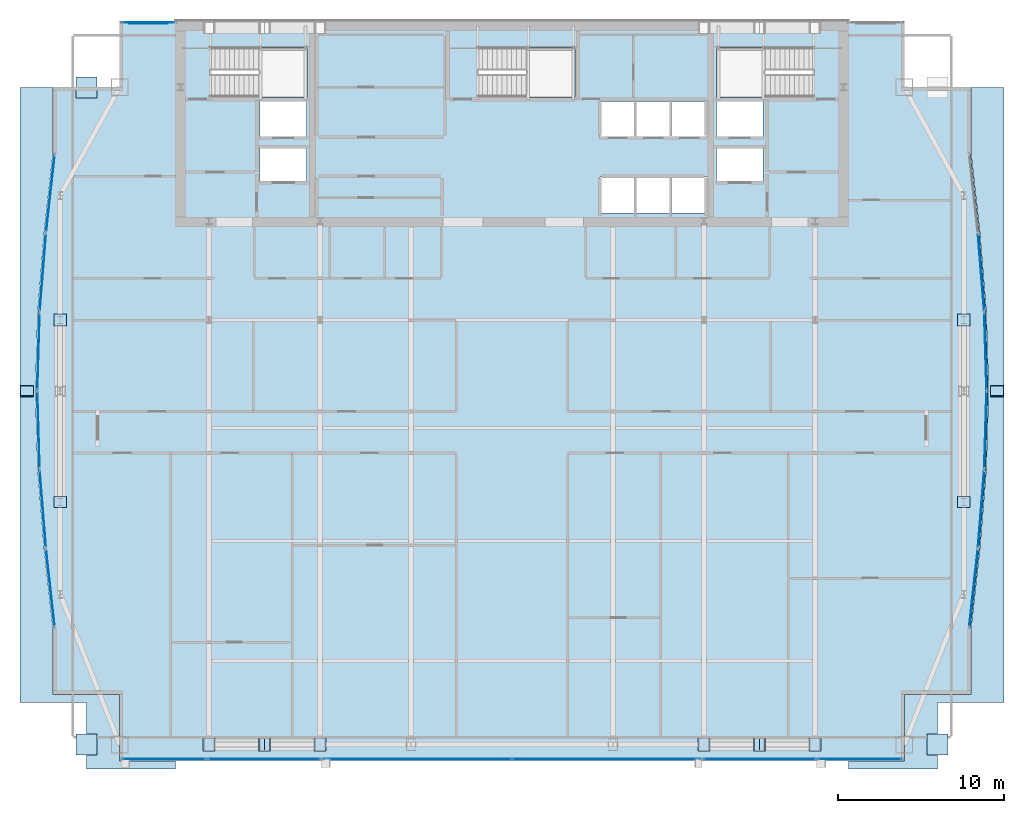
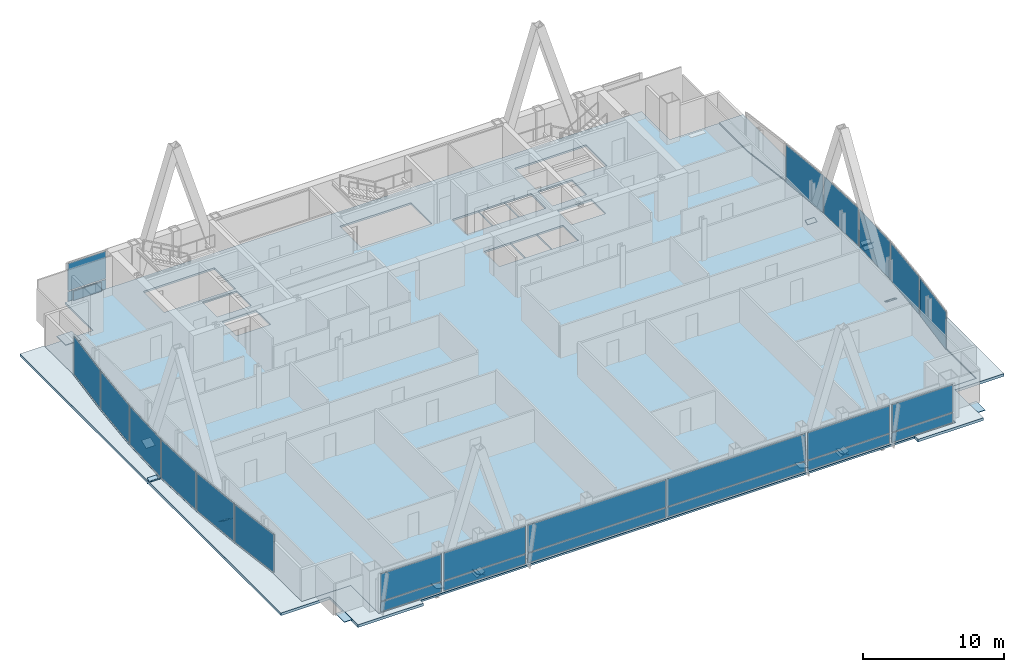
# One storey, part 24 of 30: 45 plates, 3 slabs, 17 elements without a shape of their own.
"""IFC4 building model written with IfcOpenShell, lengths in metres."""

from ifc_helpers import new_model, si_unit, direction, frame, origin, origin_2d, place, context, subcontext, project, spatial, polyline, rectangle, outline, extrude, material, layer, layer_set, type_object, element, aggregate, save


model = new_model("IFC4")

# Units and contexts
model_context = context("Model", 3, precision=1e-05, world=origin(), true_north=direction((0.0, 1.0)))
body_context = subcontext(model_context, "Body", "Model", "MODEL_VIEW")
ifc_project = project(units=[si_unit("LENGTHUNIT", "METRE"), si_unit("AREAUNIT", "SQUARE_METRE"), si_unit("VOLUMEUNIT", "CUBIC_METRE"), si_unit("PLANEANGLEUNIT", "RADIAN"), si_unit("MASSUNIT", "GRAM", prefix="KILO")], contexts=[model_context])

# Site, building, storey
site_placement = place(None, origin())
site = spatial("IfcSite", under=ifc_project, at=site_placement, CompositionType="ELEMENT")
building_placement = place(site_placement, origin())
building = spatial("IfcBuilding", under=site, at=building_placement, Name="Khoronbel Lancet Exchange", CompositionType="ELEMENT")
storey_placement = place(building_placement, frame((0.0, 0.0, 239.0)))
storey = spatial("IfcBuildingStorey", under=building, at=storey_placement, Name="L61", CompositionType="ELEMENT", Elevation=239.0)

# Curtain wall, plate
ifc_material_1 = material(Name="Low-E Solar Control Insulating Glass", Category="glass")
curtain_wall_type_1 = type_object("IfcCurtainWallType", Name="CW-4", PredefinedType="NOTDEFINED", material=ifc_material_1)
curtain_wall_1_placement = place(storey_placement, origin())
curtain_wall_1 = element("IfcCurtainWall", 1, at=curtain_wall_1_placement, inside=storey, type_object=curtain_wall_type_1, Name="Unitised curtain wall CW-L61-E05", PredefinedType="NOTDEFINED")
ifc_material_2 = material(Name="Bronze-Anodised Aluminium 6063-T6", Category="aluminium")
ifc_layer_1 = layer(ifc_material_2, 0.050048828125, Name="Bronze-Anodised Aluminium 6063-T6")
ifc_layer_set_1 = layer_set([ifc_layer_1], Name="Bronze-Anodised Aluminium 6063-T6")
plate_type_1 = type_object("IfcPlateType", Name="PLT-CSP1", PredefinedType="SHEET", material=ifc_layer_set_1)
plate_1_placement = place(storey_placement, frame((8.22265625, 24.331787109375, 0.0849609375), z_axis=(0.0, 0.0, 1.0), x_axis=(-0.080639943095, 0.996743296731, 0.0)))
plate_1 = element("IfcPlate", 2, at=plate_1_placement, type_object=plate_type_1, Name="CW4 panel 1.1", PredefinedType="CURTAIN_PANEL", context=body_context, shape_type="SweptSolid", body=[
    extrude(rectangle(XDim=4.61181640625, YDim=0.0380859375, at=origin_2d()), origin(), (0.0, 0.0, 1.0), 3.27001953125),
])
aggregate(curtain_wall_1, [plate_1])

curtain_wall_2_placement = place(storey_placement, origin())
curtain_wall_2 = element("IfcCurtainWall", 3, at=curtain_wall_2_placement, inside=storey, type_object=curtain_wall_type_1, Name="Unitised curtain wall CW-L61-E06", PredefinedType="NOTDEFINED")
plate_2_placement = place(storey_placement, frame((7.960205078125, 29.077392578125, 0.0849609375), z_axis=(0.0, 0.0, 1.0), x_axis=(-0.029618191076, 0.999561285143, 0.0)))
plate_2 = element("IfcPlate", 4, at=plate_2_placement, type_object=plate_type_1, Name="CW4 panel 1.1", PredefinedType="CURTAIN_PANEL", context=body_context, shape_type="SweptSolid", body=[
    extrude(rectangle(XDim=4.59716796875, YDim=0.0380859375, at=origin_2d()), origin(), (0.0, 0.0, 1.0), 3.27001953125),
])
aggregate(curtain_wall_2, [plate_2])

curtain_wall_3_placement = place(storey_placement, origin())
curtain_wall_3 = element("IfcCurtainWall", 5, at=curtain_wall_3_placement, inside=storey, type_object=curtain_wall_type_1, Name="Unitised curtain wall CW-L61-E07", PredefinedType="NOTDEFINED")
plate_3_placement = place(storey_placement, frame((7.960205078125, 33.822509765625, 0.0849609375), z_axis=(0.0, 0.0, 1.0), x_axis=(0.029618191076, 0.999561285143, 0.0)))
plate_3 = element("IfcPlate", 6, at=plate_3_placement, type_object=plate_type_1, Name="CW4 panel 1.1", PredefinedType="CURTAIN_PANEL", context=body_context, shape_type="SweptSolid", body=[
    extrude(rectangle(XDim=4.59716796875, YDim=0.0380859375, at=origin_2d()), origin(), (0.0, 0.0, 1.0), 3.27001953125),
])
aggregate(curtain_wall_3, [plate_3])

curtain_wall_4_placement = place(storey_placement, origin())
curtain_wall_4 = element("IfcCurtainWall", 7, at=curtain_wall_4_placement, inside=storey, type_object=curtain_wall_type_1, Name="Unitised curtain wall CW-L61-E08", PredefinedType="NOTDEFINED")
plate_4_placement = place(storey_placement, frame((8.22265625, 38.568115234375, 0.0849609375), z_axis=(0.0, 0.0, 1.0), x_axis=(0.080639943095, 0.996743296731, 0.0)))
plate_4 = element("IfcPlate", 8, at=plate_4_placement, type_object=plate_type_1, Name="CW4 panel 1.1", PredefinedType="CURTAIN_PANEL", context=body_context, shape_type="SweptSolid", body=[
    extrude(rectangle(XDim=4.61181640625, YDim=0.0380859375, at=origin_2d()), origin(), (0.0, 0.0, 1.0), 3.27001953125),
])
aggregate(curtain_wall_4, [plate_4])

curtain_wall_type_2 = type_object("IfcCurtainWallType", Name="CW-3", PredefinedType="NOTDEFINED", material=ifc_material_1)
curtain_wall_5_placement = place(storey_placement, origin())
curtain_wall_5 = element("IfcCurtainWall", 9, at=curtain_wall_5_placement, inside=storey, type_object=curtain_wall_type_2, Name="Unitised curtain wall CW-L61-NWFLK", PredefinedType="NOTDEFINED")
plate_5_placement = place(storey_placement, frame((14.580078125, 53.550048828125, 0.0498046875), z_axis=(0.0, 0.0, 1.0), x_axis=(-1.0, 0.0, 0.0)))
plate_5 = element("IfcPlate", 10, at=plate_5_placement, type_object=plate_type_1, Name="Insulated bronze spandrel cassette CW-L61-NWFLK", PredefinedType="SHEET", context=body_context, shape_type="SweptSolid", body=[
    extrude(rectangle(XDim=2.2958984375, YDim=0.050048828125, at=origin_2d()), origin(), (0.0, 0.0, 1.0), 0.800048828125),
])

curtain_wall_6_placement = place(storey_placement, origin())
curtain_wall_6 = element("IfcCurtainWall", 11, at=curtain_wall_6_placement, inside=storey, type_object=curtain_wall_type_1, Name="Unitised curtain wall CW-L61-E18", PredefinedType="NOTDEFINED")
plate_6_placement = place(storey_placement, frame((64.677490234375, 38.568115234375, 0.0849609375), z_axis=(0.0, 0.0, 1.0), x_axis=(0.080639943095, -0.996743296731, 0.0)))
plate_6 = element("IfcPlate", 12, at=plate_6_placement, type_object=plate_type_1, Name="CW4 panel 1.1", PredefinedType="CURTAIN_PANEL", context=body_context, shape_type="SweptSolid", body=[
    extrude(rectangle(XDim=4.61181640625, YDim=0.0380859375, at=origin_2d()), origin(), (0.0, 0.0, 1.0), 3.27001953125),
])
aggregate(curtain_wall_6, [plate_6])

curtain_wall_7_placement = place(storey_placement, origin())
curtain_wall_7 = element("IfcCurtainWall", 13, at=curtain_wall_7_placement, inside=storey, type_object=curtain_wall_type_1, Name="Unitised curtain wall CW-L61-E19", PredefinedType="NOTDEFINED")
plate_7_placement = place(storey_placement, frame((64.939697265625, 33.822509765625, 0.0849609375), z_axis=(0.0, 0.0, 1.0), x_axis=(0.029618191076, -0.999561285143, 0.0)))
plate_7 = element("IfcPlate", 14, at=plate_7_placement, type_object=plate_type_1, Name="CW4 panel 1.1", PredefinedType="CURTAIN_PANEL", context=body_context, shape_type="SweptSolid", body=[
    extrude(rectangle(XDim=4.59716796875, YDim=0.0380859375, at=origin_2d()), origin(), (0.0, 0.0, 1.0), 3.27001953125),
])
aggregate(curtain_wall_7, [plate_7])

curtain_wall_8_placement = place(storey_placement, origin())
curtain_wall_8 = element("IfcCurtainWall", 15, at=curtain_wall_8_placement, inside=storey, type_object=curtain_wall_type_1, Name="Unitised curtain wall CW-L61-E20", PredefinedType="NOTDEFINED")
plate_8_placement = place(storey_placement, frame((64.939697265625, 29.077392578125, 0.0849609375), z_axis=(0.0, 0.0, 1.0), x_axis=(-0.029618191076, -0.999561285143, 0.0)))
plate_8 = element("IfcPlate", 16, at=plate_8_placement, type_object=plate_type_1, Name="CW4 panel 1.1", PredefinedType="CURTAIN_PANEL", context=body_context, shape_type="SweptSolid", body=[
    extrude(rectangle(XDim=4.59716796875, YDim=0.0380859375, at=origin_2d()), origin(), (0.0, 0.0, 1.0), 3.27001953125),
])
aggregate(curtain_wall_8, [plate_8])

curtain_wall_9_placement = place(storey_placement, origin())
curtain_wall_9 = element("IfcCurtainWall", 17, at=curtain_wall_9_placement, inside=storey, type_object=curtain_wall_type_1, Name="Unitised curtain wall CW-L61-E21", PredefinedType="NOTDEFINED")
plate_9_placement = place(storey_placement, frame((64.677490234375, 24.331787109375, 0.0849609375), z_axis=(0.0, 0.0, 1.0), x_axis=(-0.080639943095, -0.996743296731, 0.0)))
plate_9 = element("IfcPlate", 18, at=plate_9_placement, type_object=plate_type_1, Name="CW4 panel 1.1", PredefinedType="CURTAIN_PANEL", context=body_context, shape_type="SweptSolid", body=[
    extrude(rectangle(XDim=4.61181640625, YDim=0.0380859375, at=origin_2d()), origin(), (0.0, 0.0, 1.0), 3.27001953125),
])
aggregate(curtain_wall_9, [plate_9])

# Curtain wall, plates
curtain_wall_10_placement = place(storey_placement, origin())
curtain_wall_10 = element("IfcCurtainWall", 19, at=curtain_wall_10_placement, inside=storey, type_object=curtain_wall_type_2, Name="Unitised curtain wall CW-L61-SWB", PredefinedType="NOTDEFINED")
plate_10_placement = place(storey_placement, frame((21.550048828125, 9.2900390625, 0.0849609375), z_axis=(0.0, 0.0, 1.0), x_axis=(1.0, 0.0, 0.0)))
plate_10 = element("IfcPlate", 20, at=plate_10_placement, type_object=plate_type_1, Name="CW3 panel 1.1", PredefinedType="CURTAIN_PANEL", context=body_context, shape_type="SweptSolid", body=[
    extrude(rectangle(XDim=6.72998046875, YDim=0.0380859375, at=origin_2d()), origin(), (0.0, 0.0, 1.0), 0.822509765625),
])
plate_11_placement = place(storey_placement, frame((21.550048828125, 9.2900390625, 0.99267578125), z_axis=(0.0, 0.0, 1.0), x_axis=(1.0, 0.0, 0.0)))
plate_11 = element("IfcPlate", 21, at=plate_11_placement, type_object=plate_type_1, Name="CW3 panel 1.2", PredefinedType="CURTAIN_PANEL", context=body_context, shape_type="SweptSolid", body=[
    extrude(rectangle(XDim=6.72998046875, YDim=0.0380859375, at=origin_2d()), origin(), (0.0, 0.0, 1.0), 2.362548828125),
])
aggregate(curtain_wall_10, [plate_10, plate_11])

curtain_wall_11_placement = place(storey_placement, origin())
curtain_wall_11 = element("IfcCurtainWall", 22, at=curtain_wall_11_placement, inside=storey, type_object=curtain_wall_type_2, Name="Unitised curtain wall CW-L61-SEB", PredefinedType="NOTDEFINED")
plate_12_placement = place(storey_placement, frame((51.35009765625, 9.2900390625, 0.0849609375), z_axis=(0.0, 0.0, 1.0), x_axis=(1.0, 0.0, 0.0)))
plate_12 = element("IfcPlate", 23, at=plate_12_placement, type_object=plate_type_1, Name="CW3 panel 1.1", PredefinedType="CURTAIN_PANEL", context=body_context, shape_type="SweptSolid", body=[
    extrude(rectangle(XDim=6.72998046875, YDim=0.0380859375, at=origin_2d()), origin(), (0.0, 0.0, 1.0), 0.822509765625),
])
plate_13_placement = place(storey_placement, frame((51.35009765625, 9.2900390625, 0.99267578125), z_axis=(0.0, 0.0, 1.0), x_axis=(1.0, 0.0, 0.0)))
plate_13 = element("IfcPlate", 24, at=plate_13_placement, type_object=plate_type_1, Name="CW3 panel 1.2", PredefinedType="CURTAIN_PANEL", context=body_context, shape_type="SweptSolid", body=[
    extrude(rectangle(XDim=6.72998046875, YDim=0.0380859375, at=origin_2d()), origin(), (0.0, 0.0, 1.0), 2.362548828125),
])
aggregate(curtain_wall_11, [plate_12, plate_13])

# Plate
ifc_layer_2 = layer(ifc_material_1, 0.035888671875, Name="Low-E Solar Control Insulating Glass")
ifc_layer_set_2 = layer_set([ifc_layer_2], Name="Low-E Solar Control Insulating Glass")
plate_type_2 = type_object("IfcPlateType", Name="PLT-CWP1", PredefinedType="CURTAIN_PANEL", material=ifc_layer_set_2)
plate_14_placement = place(storey_placement, frame((14.580078125, 53.610107421875, 0.0849609375), z_axis=(0.0, 0.0, 1.0), x_axis=(-1.0, 0.0, 0.0)))
plate_14 = element("IfcPlate", 25, at=plate_14_placement, type_object=plate_type_2, Name="CW3 panel 1.1", PredefinedType="CURTAIN_PANEL", context=body_context, shape_type="SweptSolid", body=[
    extrude(rectangle(XDim=3.110107421875, YDim=0.0380859375, at=origin_2d()), origin(), (0.0, 0.0, 1.0), 0.822509765625),
])

plate_15_placement = place(storey_placement, frame((14.580078125, 53.610107421875, 0.99267578125), z_axis=(0.0, 0.0, 1.0), x_axis=(-1.0, 0.0, 0.0)))
plate_15 = element("IfcPlate", 26, at=plate_15_placement, type_object=plate_type_2, Name="CW3 panel 1.2", PredefinedType="CURTAIN_PANEL", context=body_context, shape_type="SweptSolid", body=[
    extrude(rectangle(XDim=3.110107421875, YDim=0.0380859375, at=origin_2d()), origin(), (0.0, 0.0, 1.0), 2.362548828125),
])

aggregate(curtain_wall_5, [plate_14, plate_15, plate_5])

# Curtain wall, plates
curtain_wall_12_placement = place(storey_placement, origin())
curtain_wall_12 = element("IfcCurtainWall", 27, at=curtain_wall_12_placement, inside=storey, type_object=curtain_wall_type_2, Name="Unitised curtain wall CW-L61-SWV", PredefinedType="NOTDEFINED")
plate_16_placement = place(storey_placement, frame((15.52001953125, 9.2900390625, 0.0849609375), z_axis=(0.0, 0.0, 1.0), x_axis=(1.0, 0.0, 0.0)))
plate_16 = element("IfcPlate", 28, at=plate_16_placement, type_object=plate_type_2, Name="CW3 panel 1.1", PredefinedType="CURTAIN_PANEL", context=body_context, shape_type="SweptSolid", body=[
    extrude(rectangle(XDim=4.989990234375, YDim=0.0380859375, at=origin_2d()), origin(), (0.0, 0.0, 1.0), 0.822509765625),
])
plate_17_placement = place(storey_placement, frame((15.52001953125, 9.2900390625, 0.99267578125), z_axis=(0.0, 0.0, 1.0), x_axis=(1.0, 0.0, 0.0)))
plate_17 = element("IfcPlate", 29, at=plate_17_placement, type_object=plate_type_2, Name="CW3 panel 1.2", PredefinedType="CURTAIN_PANEL", context=body_context, shape_type="SweptSolid", body=[
    extrude(rectangle(XDim=4.989990234375, YDim=0.0380859375, at=origin_2d()), origin(), (0.0, 0.0, 1.0), 2.362548828125),
])
aggregate(curtain_wall_12, [plate_16, plate_17])

curtain_wall_13_placement = place(storey_placement, origin())
curtain_wall_13 = element("IfcCurtainWall", 30, at=curtain_wall_13_placement, inside=storey, type_object=curtain_wall_type_2, Name="Unitised curtain wall CW-L61-SCV", PredefinedType="NOTDEFINED")
plate_18_placement = place(storey_placement, frame((30.746337890625, 9.2900390625, 0.0849609375), z_axis=(0.0, 0.0, 1.0), x_axis=(1.0, 0.0, 0.0)))
plate_18 = element("IfcPlate", 31, at=plate_18_placement, type_object=plate_type_2, Name="CW3 panel 1.1", PredefinedType="CURTAIN_PANEL", context=body_context, shape_type="SweptSolid", body=[
    extrude(rectangle(XDim=11.322509765625, YDim=0.0380859375, at=origin_2d()), origin(), (0.0, 0.0, 1.0), 0.822509765625),
])
plate_19_placement = place(storey_placement, frame((30.746337890625, 9.2900390625, 0.99267578125), z_axis=(0.0, 0.0, 1.0), x_axis=(1.0, 0.0, 0.0)))
plate_19 = element("IfcPlate", 32, at=plate_19_placement, type_object=plate_type_2, Name="CW3 panel 1.2", PredefinedType="CURTAIN_PANEL", context=body_context, shape_type="SweptSolid", body=[
    extrude(rectangle(XDim=11.322509765625, YDim=0.0380859375, at=origin_2d()), origin(), (0.0, 0.0, 1.0), 2.362548828125),
])
plate_20_placement = place(storey_placement, frame((42.15380859375, 9.2900390625, 0.0849609375), z_axis=(0.0, 0.0, 1.0), x_axis=(1.0, 0.0, 0.0)))
plate_20 = element("IfcPlate", 33, at=plate_20_placement, type_object=plate_type_2, Name="CW3 panel 2.1", PredefinedType="CURTAIN_PANEL", context=body_context, shape_type="SweptSolid", body=[
    extrude(rectangle(XDim=11.322509765625, YDim=0.0380859375, at=origin_2d()), origin(), (0.0, 0.0, 1.0), 0.822509765625),
])
plate_21_placement = place(storey_placement, frame((42.15380859375, 9.2900390625, 0.99267578125), z_axis=(0.0, 0.0, 1.0), x_axis=(1.0, 0.0, 0.0)))
plate_21 = element("IfcPlate", 34, at=plate_21_placement, type_object=plate_type_2, Name="CW3 panel 2.2", PredefinedType="CURTAIN_PANEL", context=body_context, shape_type="SweptSolid", body=[
    extrude(rectangle(XDim=11.322509765625, YDim=0.0380859375, at=origin_2d()), origin(), (0.0, 0.0, 1.0), 2.362548828125),
])
aggregate(curtain_wall_13, [plate_18, plate_19, plate_20, plate_21])

curtain_wall_14_placement = place(storey_placement, origin())
curtain_wall_14 = element("IfcCurtainWall", 35, at=curtain_wall_14_placement, inside=storey, type_object=curtain_wall_type_2, Name="Unitised curtain wall CW-L61-SEV", PredefinedType="NOTDEFINED")
plate_22_placement = place(storey_placement, frame((57.3798828125, 9.2900390625, 0.0849609375), z_axis=(0.0, 0.0, 1.0), x_axis=(1.0, 0.0, 0.0)))
plate_22 = element("IfcPlate", 36, at=plate_22_placement, type_object=plate_type_2, Name="CW3 panel 1.1", PredefinedType="CURTAIN_PANEL", context=body_context, shape_type="SweptSolid", body=[
    extrude(rectangle(XDim=4.989990234375, YDim=0.0380859375, at=origin_2d()), origin(), (0.0, 0.0, 1.0), 0.822509765625),
])
plate_23_placement = place(storey_placement, frame((57.3798828125, 9.2900390625, 0.99267578125), z_axis=(0.0, 0.0, 1.0), x_axis=(1.0, 0.0, 0.0)))
plate_23 = element("IfcPlate", 37, at=plate_23_placement, type_object=plate_type_2, Name="CW3 panel 1.2", PredefinedType="CURTAIN_PANEL", context=body_context, shape_type="SweptSolid", body=[
    extrude(rectangle(XDim=4.989990234375, YDim=0.0380859375, at=origin_2d()), origin(), (0.0, 0.0, 1.0), 2.362548828125),
])
aggregate(curtain_wall_14, [plate_22, plate_23])

# Curtain wall, plate
curtain_wall_15_placement = place(storey_placement, origin())
curtain_wall_15 = element("IfcCurtainWall", 38, at=curtain_wall_15_placement, inside=storey, type_object=curtain_wall_type_1, Name="Unitised curtain wall CW-L61-E04", PredefinedType="NOTDEFINED")
ifc_material_3 = material(Name="Ceramic-Fritted Laminated Insulating Glass", Category="glass")
ifc_layer_3 = layer(ifc_material_3, 0.0419921875, Name="Ceramic-Fritted Laminated Insulating Glass")
ifc_layer_set_3 = layer_set([ifc_layer_3], Name="Ceramic-Fritted Laminated Insulating Glass")
plate_type_3 = type_object("IfcPlateType", Name="PLT-CWP2", PredefinedType="CURTAIN_PANEL", material=ifc_layer_set_3)
plate_24_placement = place(storey_placement, frame((8.67724609375, 19.581787109375, 0.0849609375), z_axis=(0.0, 0.0, 1.0), x_axis=(-0.109857775256, 0.993947317123, 0.0)))
plate_24 = element("IfcPlate", 39, at=plate_24_placement, type_object=plate_type_3, Name="CW4 panel 1.1", PredefinedType="CURTAIN_PANEL", context=body_context, shape_type="SweptSolid", body=[
    extrude(rectangle(XDim=4.632568359375, YDim=0.0380859375, at=origin_2d()), origin(), (0.0, 0.0, 1.0), 3.27001953125),
])
aggregate(curtain_wall_15, [plate_24])

curtain_wall_16_placement = place(storey_placement, origin())
curtain_wall_16 = element("IfcCurtainWall", 40, at=curtain_wall_16_placement, inside=storey, type_object=curtain_wall_type_1, Name="Unitised curtain wall CW-L61-E09", PredefinedType="NOTDEFINED")
plate_25_placement = place(storey_placement, frame((8.67724609375, 43.318115234375, 0.0849609375), z_axis=(0.0, 0.0, 1.0), x_axis=(0.109857775256, 0.993947317123, 0.0)))
plate_25 = element("IfcPlate", 41, at=plate_25_placement, type_object=plate_type_3, Name="CW4 panel 1.1", PredefinedType="CURTAIN_PANEL", context=body_context, shape_type="SweptSolid", body=[
    extrude(rectangle(XDim=4.632568359375, YDim=0.0380859375, at=origin_2d()), origin(), (0.0, 0.0, 1.0), 3.27001953125),
])
aggregate(curtain_wall_16, [plate_25])

curtain_wall_17_placement = place(storey_placement, origin())
curtain_wall_17 = element("IfcCurtainWall", 42, at=curtain_wall_17_placement, inside=storey, type_object=curtain_wall_type_1, Name="Unitised curtain wall CW-L61-E22", PredefinedType="NOTDEFINED")
plate_26_placement = place(storey_placement, frame((64.22265625, 19.581787109375, 0.0849609375), z_axis=(0.0, 0.0, 1.0), x_axis=(-0.109857775256, -0.993947317123, 0.0)))
plate_26 = element("IfcPlate", 43, at=plate_26_placement, type_object=plate_type_3, Name="CW4 panel 1.1", PredefinedType="CURTAIN_PANEL", context=body_context, shape_type="SweptSolid", body=[
    extrude(rectangle(XDim=4.632568359375, YDim=0.0380859375, at=origin_2d()), origin(), (0.0, 0.0, 1.0), 3.27001953125),
])
aggregate(curtain_wall_17, [plate_26])

# Plates
ifc_material_4 = material(Name="Steel S460", Category="steel")
ifc_layer_4 = layer(ifc_material_4, 0.044921875, Name="Steel S460")
ifc_layer_set_4 = layer_set([ifc_layer_4], Name="Steel S460")
plate_type_4 = type_object("IfcPlateType", Name="PLT-ECP1", PredefinedType="USERDEFINED", material=ifc_layer_set_4)
plate_27_placement = place(storey_placement, frame((0.0, 0.0, -0.011962890625)))
element("IfcPlate", 44, at=plate_27_placement, inside=storey, type_object=plate_type_4, Name="Hollow end cap plate PLT-CAP-COL-L60-MC-SW-TOP", ObjectType="STIFFENER_PLATE", PredefinedType="USERDEFINED", context=body_context, shape_type="SweptSolid", body=[
    extrude(outline(polyline([(10.219970703125, 9.52001953125), (11.47998046875, 9.52001953125), (11.47998046875, 10.780029296875), (10.219970703125, 10.780029296875), (10.219970703125, 9.52001953125)])), origin(), (0.0, 0.0, 1.0), 0.044921875),
])
plate_28_placement = place(storey_placement, frame((0.0, 0.0, -0.011962890625)))
element("IfcPlate", 45, at=plate_28_placement, inside=storey, type_object=plate_type_4, Name="Hollow end cap plate PLT-CAP-COL-L60-MC-SE-TOP", ObjectType="STIFFENER_PLATE", PredefinedType="USERDEFINED", context=body_context, shape_type="SweptSolid", body=[
    extrude(outline(polyline([(61.419921875, 9.52001953125), (62.679931640625, 9.52001953125), (62.679931640625, 10.780029296875), (61.419921875, 10.780029296875), (61.419921875, 9.52001953125)])), origin(), (0.0, 0.0, 1.0), 0.044921875),
])
plate_29_placement = place(storey_placement, frame((0.0, 0.0, -0.011962890625)))
element("IfcPlate", 46, at=plate_29_placement, inside=storey, type_object=plate_type_4, Name="Hollow end cap plate PLT-CAP-COL-L60-MC-NW-TOP", ObjectType="STIFFENER_PLATE", PredefinedType="USERDEFINED", context=body_context, shape_type="SweptSolid", body=[
    extrude(outline(polyline([(10.219970703125, 49.070068359375), (11.47998046875, 49.070068359375), (11.47998046875, 50.330078125), (10.219970703125, 50.330078125), (10.219970703125, 49.070068359375)])), origin(), (0.0, 0.0, 1.0), 0.044921875),
])
for number, where, z_axis, x_axis, name in (
    (47, (21.921142578125, 9.77001953125, -0.1298828125), (0.420544868923, 0.0, 0.907271741664), (0.0, 1.0, 0.0), "Hollow end cap plate PLT-CAP-MEM-MB-T20-S-W-L-1"),
    (48, (21.203857421875, 10.530029296875, -0.1298828125), (-0.420544868923, 0.0, 0.907271741664), (0.0, -1.0, 0.0), "Hollow end cap plate PLT-CAP-MEM-MB-T20-S-W-R-1"),
    (49, (51.696044921875, 9.77001953125, -0.1298828125), (0.420544868923, 0.0, 0.907271741664), (0.0, 1.0, 0.0), "Hollow end cap plate PLT-CAP-MEM-MB-T20-S-E-L-1"),
):
    element("IfcPlate", number, at=place(storey_placement, frame(where, z_axis=z_axis, x_axis=x_axis)), inside=storey, type_object=plate_type_4, Name=name, ObjectType="STIFFENER_PLATE", PredefinedType="USERDEFINED", context=body_context, shape_type="SweptSolid", body=[
        extrude(outline(polyline([(0.0, 0.0), (0.760009765625, 0.0), (0.760009765625, 0.760009765625), (0.0, 0.760009765625), (0.0, 0.0)])), origin(), (0.0, 0.0, -1.0), 0.044921875),
    ])
plate_30_placement = place(storey_placement, frame((50.978759765625, 10.530029296875, -0.1298828125), z_axis=(-0.420422320018, 0.0, 0.907328536326), x_axis=(0.0, -1.0, 0.0)))
element("IfcPlate", 50, at=plate_30_placement, inside=storey, type_object=plate_type_4, Name="Hollow end cap plate PLT-CAP-MEM-MB-T20-S-E-R-1", ObjectType="STIFFENER_PLATE", PredefinedType="USERDEFINED", context=body_context, shape_type="SweptSolid", body=[
    extrude(outline(polyline([(0.0, 0.0), (0.760009765625, 0.0), (0.760009765625, 0.76025390625), (0.0, 0.76025390625), (0.0, 0.0)])), origin(), (0.0, 0.0, -1.0), 0.044921875),
])
for number, where, z_axis, x_axis, name in (
    (51, (7.64990234375, 31.72607421875, -0.234130859375), (0.0, 0.679773094815, 0.733422483678), (-1.0, 0.0, 0.0), "Hollow end cap plate PLT-CAP-MEM-MB-T20-W-P-L-1"),
    (52, (6.889892578125, 31.081298828125, -0.16552734375), (0.0, -0.510427422605, 0.859920837201), (1.0, 0.0, 0.0), "Hollow end cap plate PLT-CAP-MEM-MB-T20-W-P-R-1"),
    (53, (66.010009765625, 31.72607421875, -0.234130859375), (0.0, 0.679773094815, 0.733422483678), (-1.0, 0.0, 0.0), "Hollow end cap plate PLT-CAP-MEM-MB-T20-E-P-L-1"),
    (54, (65.25, 31.081298828125, -0.16552734375), (0.0, -0.510427422605, 0.859920837201), (1.0, 0.0, 0.0), "Hollow end cap plate PLT-CAP-MEM-MB-T20-E-P-R-1"),
    (55, (18.591552734375, 9.77001953125, -0.100830078125), (0.295530172732, 0.0, 0.955333406202), (0.0, 1.0, 0.0), "Hollow end cap plate PLT-CAP-MEM-MB-T21-S-W-L-0"),
    (56, (24.533447265625, 10.530029296875, -0.100830078125), (-0.295530172732, 0.0, 0.955333406202), (0.0, -1.0, 0.0), "Hollow end cap plate PLT-CAP-MEM-MB-T21-S-W-R-0"),
):
    element("IfcPlate", number, at=place(storey_placement, frame(where, z_axis=z_axis, x_axis=x_axis)), inside=storey, type_object=plate_type_4, Name=name, ObjectType="STIFFENER_PLATE", PredefinedType="USERDEFINED", context=body_context, shape_type="SweptSolid", body=[
        extrude(outline(polyline([(0.0, 0.0), (0.760009765625, 0.0), (0.760009765625, 0.760009765625), (0.0, 0.760009765625), (0.0, 0.0)])), origin(), (0.0, 0.0, -1.0), 0.044921875),
    ])
plate_31_placement = place(storey_placement, frame((48.36669921875, 9.77001953125, -0.100830078125), z_axis=(0.295439506846, 0.0, 0.955361448769), x_axis=(0.0, 1.0, 0.0)))
element("IfcPlate", 57, at=plate_31_placement, inside=storey, type_object=plate_type_4, Name="Hollow end cap plate PLT-CAP-MEM-MB-T21-S-E-L-0", ObjectType="STIFFENER_PLATE", PredefinedType="USERDEFINED", context=body_context, shape_type="SweptSolid", body=[
    extrude(outline(polyline([(0.0, 0.0), (0.760009765625, 0.0), (0.760009765625, 0.76025390625), (0.0, 0.76025390625), (0.0, 0.0)])), origin(), (0.0, 0.0, -1.0), 0.044921875),
])
for number, where, z_axis, x_axis, name in (
    (58, (54.308349609375, 10.530029296875, -0.100830078125), (-0.295530172732, 0.0, 0.955333406202), (0.0, -1.0, 0.0), "Hollow end cap plate PLT-CAP-MEM-MB-T21-S-E-R-0"),
    (59, (9.64990234375, 25.07958984375, -0.189697265625), (0.0, 0.525834774126, 0.850586732979), (-1.0, 0.0, 0.0), "Hollow end cap plate PLT-CAP-MEM-MB-T21-W-P-L-0"),
    (60, (8.889892578125, 35.34228515625, -0.128662109375), (0.0, -0.368175750156, 0.929756213745), (1.0, 0.0, 0.0), "Hollow end cap plate PLT-CAP-MEM-MB-T21-W-P-R-0"),
    (61, (64.010009765625, 25.07958984375, -0.189697265625), (0.0, 0.525834774126, 0.850586732979), (-1.0, 0.0, 0.0), "Hollow end cap plate PLT-CAP-MEM-MB-T21-E-P-L-0"),
    (62, (63.25, 35.34228515625, -0.128662109375), (0.0, -0.368175750156, 0.929756213745), (1.0, 0.0, 0.0), "Hollow end cap plate PLT-CAP-MEM-MB-T21-E-P-R-0"),
):
    element("IfcPlate", number, at=place(storey_placement, frame(where, z_axis=z_axis, x_axis=x_axis)), inside=storey, type_object=plate_type_4, Name=name, ObjectType="STIFFENER_PLATE", PredefinedType="USERDEFINED", context=body_context, shape_type="SweptSolid", body=[
        extrude(outline(polyline([(0.0, 0.0), (0.760009765625, 0.0), (0.760009765625, 0.760009765625), (0.0, 0.760009765625), (0.0, 0.0)])), origin(), (0.0, 0.0, -1.0), 0.044921875),
    ])

# Slabs
ifc_material_5 = material(Name="Concrete C40/50", Category="concrete")
ifc_layer_5 = layer(ifc_material_5, 0.159912109375, Name="Concrete C40/50")
ifc_layer_set_5 = layer_set([ifc_layer_5], Name="Concrete C40/50")
slab_type_1 = type_object("IfcSlabType", Name="SL-FL160", PredefinedType="FLOOR", material=ifc_layer_set_5)
slab_1_placement = place(storey_placement, frame((0.0, 0.0, -0.159912109375)))
element("IfcSlab", 63, at=slab_1_placement, inside=storey, type_object=slab_type_1, Name="Level L61 composite structural floor slab", PredefinedType="FLOOR", context=body_context, shape_type="SweptSolid", body=[
    extrude(outline(polyline([(12.85009765625, 9.199951171875), (60.050048828125, 9.199951171875), (60.050048828125, 13.199951171875), (64.050048828125, 13.199951171875), (64.050048828125, 17.199951171875), (64.574951171875, 21.949951171875), (64.959228515625, 26.699951171875), (65.10009765625, 31.449951171875), (64.959228515625, 36.199951171875), (64.574951171875, 40.949951171875), (64.050048828125, 45.699951171875), (64.050048828125, 49.699951171875), (60.050048828125, 49.699951171875), (60.050048828125, 53.699951171875), (12.85009765625, 53.699951171875), (12.85009765625, 49.699951171875), (8.85009765625, 49.699951171875), (8.85009765625, 45.699951171875), (8.324951171875, 40.949951171875), (7.940673828125, 36.199951171875), (7.800048828125, 31.449951171875), (7.940673828125, 26.699951171875), (8.324951171875, 21.949951171875), (8.85009765625, 17.199951171875), (8.85009765625, 13.199951171875), (12.85009765625, 13.199951171875), (12.85009765625, 9.199951171875)]), holes=[polyline([(18.324951171875, 49.1201171875), (24.14990234375, 49.1201171875), (24.14990234375, 52.10009765625), (18.324951171875, 52.10009765625), (18.324951171875, 49.1201171875)]), polyline([(48.75, 49.1201171875), (54.574951171875, 49.1201171875), (54.574951171875, 52.10009765625), (48.75, 52.10009765625), (48.75, 49.1201171875)]), polyline([(34.425048828125, 49.1201171875), (40.25, 49.1201171875), (40.25, 52.10009765625), (34.425048828125, 52.10009765625), (34.425048828125, 49.1201171875)]), polyline([(41.739990234375, 46.75), (43.8798828125, 46.75), (43.8798828125, 48.85009765625), (41.739990234375, 48.85009765625), (41.739990234375, 46.75)]), polyline([(43.89990234375, 46.75), (46.0400390625, 46.75), (46.0400390625, 48.85009765625), (43.89990234375, 48.85009765625), (43.89990234375, 46.75)]), polyline([(46.06005859375, 46.75), (48.199951171875, 46.75), (48.199951171875, 48.85009765625), (46.06005859375, 48.85009765625), (46.06005859375, 46.75)]), polyline([(41.739990234375, 42.14990234375), (43.8798828125, 42.14990234375), (43.8798828125, 44.300048828125), (41.739990234375, 44.300048828125), (41.739990234375, 42.14990234375)]), polyline([(43.89990234375, 42.14990234375), (46.0400390625, 42.14990234375), (46.0400390625, 44.300048828125), (43.89990234375, 44.300048828125), (43.89990234375, 42.14990234375)]), polyline([(46.06005859375, 42.14990234375), (48.199951171875, 42.14990234375), (48.199951171875, 44.300048828125), (46.06005859375, 44.300048828125), (46.06005859375, 42.14990234375)]), polyline([(21.300048828125, 46.75), (24.10009765625, 46.75), (24.10009765625, 48.85009765625), (21.300048828125, 48.85009765625), (21.300048828125, 46.75)]), polyline([(48.75, 46.75), (51.550048828125, 46.75), (51.550048828125, 48.85009765625), (48.75, 48.85009765625), (48.75, 46.75)]), polyline([(21.300048828125, 44.050048828125), (24.10009765625, 44.050048828125), (24.10009765625, 46.050048828125), (21.300048828125, 46.050048828125), (21.300048828125, 44.050048828125)]), polyline([(48.75, 44.050048828125), (51.550048828125, 44.050048828125), (51.550048828125, 46.050048828125), (48.75, 46.050048828125), (48.75, 44.050048828125)])]), origin(), (0.0, 0.0, 1.0), 0.159912109375),
])
ifc_layer_6 = layer(ifc_material_5, 0.22998046875, Name="Concrete C40/50")
ifc_layer_set_6 = layer_set([ifc_layer_6], Name="Concrete C40/50")
slab_type_2 = type_object("IfcSlabType", Name="SL-ROOF220", PredefinedType="ROOF", material=ifc_layer_set_6)
slab_2_placement = place(storey_placement, frame((0.0, 0.0, -0.159912109375)))
element("IfcSlab", 64, at=slab_2_placement, inside=storey, type_object=slab_type_2, Name="Level L61 setback roof slab 1", PredefinedType="ROOF", context=body_context, shape_type="SweptSolid", body=[
    extrude(outline(polyline([(10.85009765625, 8.699951171875), (10.85009765625, 12.699951171875), (6.85009765625, 12.699951171875), (6.85009765625, 16.699951171875), (6.85009765625, 45.699951171875), (6.85009765625, 49.699951171875), (8.830078125, 49.699951171875), (8.830078125, 45.701171875), (8.30517578125, 40.9521484375), (8.30517578125, 40.95166015625), (7.9208984375, 36.20166015625), (7.920654296875, 36.20068359375), (7.780029296875, 31.45068359375), (7.780029296875, 31.449462890625), (7.920654296875, 26.699462890625), (7.9208984375, 26.698486328125), (8.30517578125, 21.948486328125), (8.30517578125, 21.94775390625), (8.830078125, 17.198974609375), (8.830078125, 13.199951171875), (8.830078125, 13.197998046875), (8.830322265625, 13.196044921875), (8.830810546875, 13.194091796875), (8.83154296875, 13.1923828125), (8.83251953125, 13.190673828125), (8.83349609375, 13.18896484375), (8.83447265625, 13.187255859375), (8.8359375, 13.185791015625), (8.83740234375, 13.1845703125), (8.8388671875, 13.183349609375), (8.840576171875, 13.182373046875), (8.84228515625, 13.181396484375), (8.84423828125, 13.180908203125), (8.84619140625, 13.180419921875), (8.847900390625, 13.18017578125), (8.85009765625, 13.179931640625), (12.830078125, 13.179931640625), (12.830078125, 9.199951171875), (12.830078125, 9.197998046875), (12.830322265625, 9.196044921875), (12.830810546875, 9.194091796875), (12.83154296875, 9.1923828125), (12.83251953125, 9.190673828125), (12.83349609375, 9.18896484375), (12.83447265625, 9.187255859375), (12.8359375, 9.185791015625), (12.83740234375, 9.1845703125), (12.8388671875, 9.183349609375), (12.840576171875, 9.182373046875), (12.84228515625, 9.181396484375), (12.84423828125, 9.180908203125), (12.84619140625, 9.180419921875), (12.847900390625, 9.18017578125), (12.85009765625, 9.179931640625), (16.199951171875, 9.179931640625), (16.199951171875, 8.699951171875), (10.85009765625, 8.699951171875)])), origin(), (0.0, 0.0, 1.0), 0.22998046875),
])
slab_3_placement = place(storey_placement, frame((0.0, 0.0, -0.159912109375)))
element("IfcSlab", 65, at=slab_3_placement, inside=storey, type_object=slab_type_2, Name="Level L61 setback roof slab 2", PredefinedType="ROOF", context=body_context, shape_type="SweptSolid", body=[
    extrude(outline(polyline([(66.050048828125, 45.699951171875), (66.050048828125, 16.699951171875), (66.050048828125, 12.699951171875), (62.050048828125, 12.699951171875), (62.050048828125, 8.699951171875), (56.699951171875, 8.699951171875), (56.699951171875, 9.179931640625), (60.050048828125, 9.179931640625), (60.052001953125, 9.18017578125), (60.053955078125, 9.180419921875), (60.055908203125, 9.180908203125), (60.0576171875, 9.181396484375), (60.059326171875, 9.182373046875), (60.06103515625, 9.183349609375), (60.062744140625, 9.1845703125), (60.064208984375, 9.185791015625), (60.0654296875, 9.187255859375), (60.066650390625, 9.18896484375), (60.067626953125, 9.190673828125), (60.068603515625, 9.1923828125), (60.069091796875, 9.194091796875), (60.069580078125, 9.196044921875), (60.06982421875, 9.197998046875), (60.070068359375, 9.199951171875), (60.070068359375, 13.179931640625), (64.050048828125, 13.179931640625), (64.052001953125, 13.18017578125), (64.053955078125, 13.180419921875), (64.055908203125, 13.180908203125), (64.0576171875, 13.181396484375), (64.059326171875, 13.182373046875), (64.06103515625, 13.183349609375), (64.062744140625, 13.1845703125), (64.064208984375, 13.185791015625), (64.0654296875, 13.187255859375), (64.066650390625, 13.18896484375), (64.067626953125, 13.190673828125), (64.068603515625, 13.1923828125), (64.069091796875, 13.194091796875), (64.069580078125, 13.196044921875), (64.06982421875, 13.197998046875), (64.070068359375, 13.199951171875), (64.070068359375, 17.198974609375), (64.594970703125, 21.94775390625), (64.594970703125, 21.948486328125), (64.979248046875, 26.698486328125), (64.979248046875, 26.699462890625), (65.1201171875, 31.449462890625), (65.1201171875, 31.45068359375), (64.979248046875, 36.20068359375), (64.979248046875, 36.20166015625), (64.594970703125, 40.95166015625), (64.594970703125, 40.9521484375), (64.070068359375, 45.701171875), (64.070068359375, 49.699951171875), (66.050048828125, 49.699951171875), (66.050048828125, 45.699951171875)])), origin(), (0.0, 0.0, 1.0), 0.22998046875),
])

save(model, "model.ifc")
